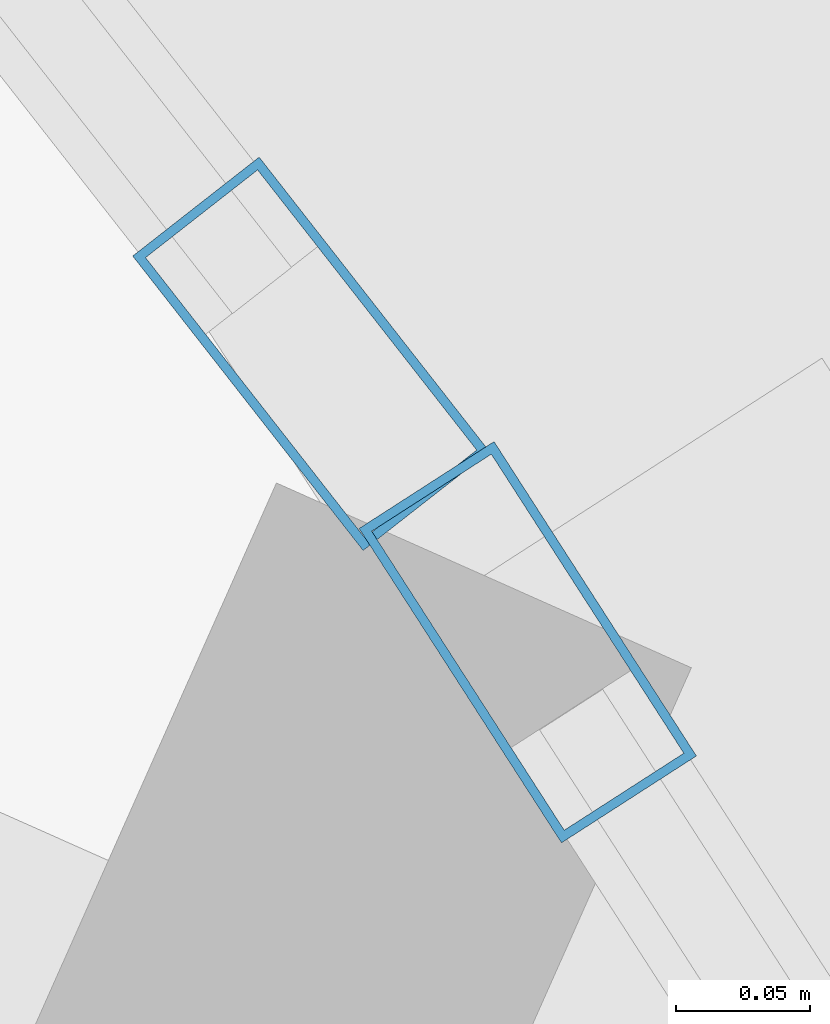
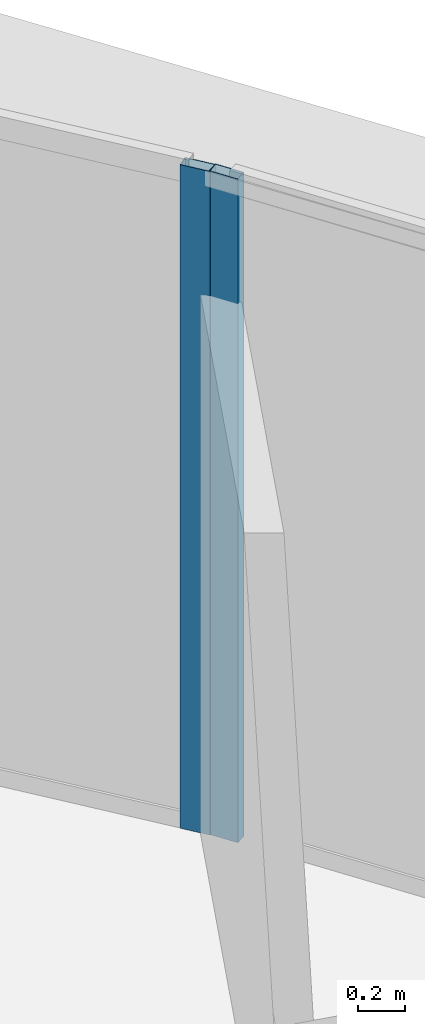
# One storey, part 20 of 34: 2 members, 2 elements without a shape of their own.
"""IFC4 building model written with IfcOpenShell, lengths in metres."""

import ifcopenshell
import ifcopenshell.guid

model = None  # the IFC model being written
_history = None  # IfcOwnerHistory: only IFC2X3 demands one
_inside = {}  # id of a spatial element -> (the spatial element, [elements in it])
_under = {}  # id of a project, library or spatial element -> (it, [spatial elements below it])
_declared = {}  # id of a project -> (the project, [libraries it declares])
_typed = {}  # id of a type object -> (the type object, [elements of that type])
_made_of = {}  # id of a material, layer set ... -> (it, [elements and type objects made of it])


def new_model(schema):
    """Start an empty IFC model of exactly this schema.

    Asked for "IFC4X3", IfcOpenShell would pick the latest addendum, in which some entities
    have other attributes; the version numbers below select the first issue.
    IFC2X3 requires an IfcOwnerHistory on every rooted entity: one is made here for all.
    """
    global model, _history
    if schema == "IFC4X3":
        model = ifcopenshell.file(schema_version=(4, 3, 0, 0))
    else:
        model = ifcopenshell.file(schema=schema)
    _inside.clear()
    _under.clear()
    _declared.clear()
    _typed.clear()
    _made_of.clear()
    _history = None
    if model.schema == "IFC2X3":
        org = make("IfcOrganization", Name="unknown")
        user = make(
            "IfcPersonAndOrganization",
            ThePerson=make("IfcPerson", FamilyName="unknown"),
            TheOrganization=org,
        )
        app = make(
            "IfcApplication",
            ApplicationDeveloper=org,
            Version="unknown",
            ApplicationFullName="unknown",
            ApplicationIdentifier="unknown",
        )
        _history = make(
            "IfcOwnerHistory",
            OwningUser=user,
            OwningApplication=app,
            ChangeAction="ADDED",
            CreationDate=0,
        )
    return model


def make(cls, **values):
    """One entity of the class cls with the attributes given. An attribute that is None is left unset."""
    return model.create_entity(
        cls, **{name: value for name, value in values.items() if value is not None}
    )


def rooted(cls, **values):
    """An entity with a GlobalId (a new one), such as an element, a storey or a relation."""
    return make(cls, GlobalId=ifcopenshell.guid.new(), OwnerHistory=_history, **values)


def si_unit(unit_type, name, prefix=None):
    """IfcSIUnit, for example si_unit("LENGTHUNIT", "METRE", prefix="MILLI")."""
    return make("IfcSIUnit", UnitType=unit_type, Prefix=prefix, Name=name)


def assignment(units):
    """IfcUnitAssignment: the units of a project."""
    return None if units is None else make("IfcUnitAssignment", Units=units)


def point(xyz):
    """IfcCartesianPoint."""
    return None if xyz is None else make("IfcCartesianPoint", Coordinates=xyz)


def direction(xyz):
    """IfcDirection."""
    return None if xyz is None else make("IfcDirection", DirectionRatios=xyz)


def frame(location, z_axis=None, x_axis=None):
    """IfcAxis2Placement3D, a coordinate frame: its origin and axes. An axis left out is left unset."""
    return make(
        "IfcAxis2Placement3D",
        Location=point(location),
        Axis=direction(z_axis),
        RefDirection=direction(x_axis),
    )


def frame_2d(location, x_axis=None):
    """IfcAxis2Placement2D, a coordinate frame in the plane: its origin and x axis."""
    return make(
        "IfcAxis2Placement2D", Location=point(location), RefDirection=direction(x_axis)
    )


def origin():
    """The frame at (0, 0, 0) with its axes left unset."""
    return frame((0.0, 0.0, 0.0))


def origin_2d():
    """The frame at (0, 0) in the plane with its x axis left unset."""
    return frame_2d((0.0, 0.0))


def place(relative_to, where):
    """IfcLocalPlacement: puts the frame where relative to a parent placement (None: the world)."""
    return make(
        "IfcLocalPlacement", PlacementRelTo=relative_to, RelativePlacement=where
    )


def context(
    kind, dimensions, precision=None, world=None, true_north=None, identifier=None
):
    """IfcGeometricRepresentationContext, for example the 3D "Model" context."""
    return make(
        "IfcGeometricRepresentationContext",
        ContextIdentifier=identifier,
        ContextType=kind,
        CoordinateSpaceDimension=dimensions,
        Precision=precision,
        WorldCoordinateSystem=world,
        TrueNorth=true_north,
    )


def subcontext(parent, identifier, kind, view, scale=None):
    """IfcGeometricRepresentationSubContext, for example "Body" below "Model"."""
    return make(
        "IfcGeometricRepresentationSubContext",
        ContextIdentifier=identifier,
        ContextType=kind,
        ParentContext=parent,
        TargetScale=scale,
        TargetView=view,
    )


def project(units=None, contexts=None):
    """IfcProject with its units and contexts."""
    return rooted(
        "IfcProject",
        Name="project",
        RepresentationContexts=contexts,
        UnitsInContext=assignment(units),
    )


def spatial(cls, under=None, at=None, **own):
    """A site, building, storey or space (cls), placed at a placement, below another one or the project."""
    s = rooted(cls, ObjectPlacement=at, **own)
    if under is not None:
        _under.setdefault(under.id(), (under, []))[1].append(s)
    return s


def profile(cls, at=None, kind="AREA", **sizes):
    """A parametric profile (cls). Its sizes go by their IFC names, for example OverallWidth=200.0."""
    return make(cls, ProfileType=kind, Position=at, **sizes)


def hollow_rectangle(**sizes):
    """IfcRectangleHollowProfileDef."""
    return profile("IfcRectangleHollowProfileDef", **sizes)


def extrude(swept, where, along, depth):
    """IfcExtrudedAreaSolid: the profile swept, set in the frame where, extruded along a direction by depth."""
    return make(
        "IfcExtrudedAreaSolid",
        SweptArea=swept,
        Position=where,
        ExtrudedDirection=direction(along),
        Depth=depth,
    )


def shape(context_of_items, identifier, shape_type, items):
    """IfcShapeRepresentation: the items that make up one representation, for example the "Body"."""
    return make(
        "IfcShapeRepresentation",
        ContextOfItems=context_of_items,
        RepresentationIdentifier=identifier,
        RepresentationType=shape_type,
        Items=items,
    )


def source(mapping_origin, context_of_items, identifier, shape_type, items):
    """IfcRepresentationMap: a shape defined once, which mapped items show again and again."""
    return make(
        "IfcRepresentationMap",
        MappingOrigin=mapping_origin,
        MappedRepresentation=shape(context_of_items, identifier, shape_type, items),
    )


def transform(
    local_origin,
    x_axis=None,
    y_axis=None,
    z_axis=None,
    scale=None,
    scale2=None,
    scale3=None,
    uniform=True,
):
    """IfcCartesianTransformationOperator3D, or its non-uniform kind. x_axis, y_axis, z_axis: its Axis1, 2, 3."""
    if uniform:
        return make(
            "IfcCartesianTransformationOperator3D",
            Axis1=direction(x_axis),
            Axis2=direction(y_axis),
            LocalOrigin=point(local_origin),
            Scale=scale,
            Axis3=direction(z_axis),
        )
    return make(
        "IfcCartesianTransformationOperator3DnonUniform",
        Axis1=direction(x_axis),
        Axis2=direction(y_axis),
        LocalOrigin=point(local_origin),
        Scale=scale,
        Axis3=direction(z_axis),
        Scale2=scale2,
        Scale3=scale3,
    )


def mapped(mapping_source, mapping_target):
    """IfcMappedItem: shows the shape of a source again, moved by a transform."""
    return make(
        "IfcMappedItem", MappingSource=mapping_source, MappingTarget=mapping_target
    )


def material(Name=None, Category=None):
    """IfcMaterial."""
    return make("IfcMaterial", Name=Name, Category=Category)


def layer(
    of_material, thickness, ventilated=None, Name=None, Category=None, Priority=None
):
    """IfcMaterialLayer: one layer of a wall or slab, of a material (None: an air gap)."""
    return make(
        "IfcMaterialLayer",
        Material=of_material,
        LayerThickness=thickness,
        IsVentilated=ventilated,
        Name=Name,
        Category=Category,
        Priority=Priority,
    )


def layer_set(layers, Name=None):
    """IfcMaterialLayerSet."""
    return make("IfcMaterialLayerSet", MaterialLayers=layers, LayerSetName=Name)


def material_profile(
    of_material, cross_section, Name=None, Category=None, Priority=None
):
    """IfcMaterialProfile: a cross section and its material."""
    return make(
        "IfcMaterialProfile",
        Name=Name,
        Material=of_material,
        Profile=cross_section,
        Priority=Priority,
        Category=Category,
    )


def profile_set(profiles, Name=None, composite=None):
    """IfcMaterialProfileSet."""
    return make(
        "IfcMaterialProfileSet",
        Name=Name,
        MaterialProfiles=profiles,
        CompositeProfile=composite,
    )


def made_of(thing, what):
    """Note that an element or type object is made of a material, layer set ...; save() writes the relation."""
    if what is not None:
        _made_of.setdefault(what.id(), (what, []))[1].append(thing)
    return thing


def type_object(cls, material=None, **own):
    """A type object (cls), such as IfcWallType, which elements share."""
    return made_of(rooted(cls, **own), material)


def element(
    cls,
    number,
    at=None,
    inside=None,
    cuts=None,
    type_object=None,
    material=None,
    context=None,
    identifier="Body",
    shape_type=None,
    held_by="IfcProductDefinitionShape",
    body=None,
    shapes=None,
    **own,
):
    """One element of the class cls, such as IfcWall. Its Tag is "e" and its number.

    at: its placement. inside: the storey or other place that contains it. cuts: it is an
    opening in that element (IfcRelVoidsElement). A single representation is given by context,
    identifier, shape_type and body (its items); several are given by shapes. held_by: the class
    of the entity that holds the representations. save() writes the other relations.
    """
    e = rooted(cls, Tag="e%d" % number, ObjectPlacement=at, **own)
    if body is not None:
        shapes = [shape(context, identifier, shape_type, body)]
    if shapes is not None:
        e.Representation = make(held_by, Representations=shapes)
    if inside is not None:
        _inside.setdefault(inside.id(), (inside, []))[1].append(e)
    if cuts is not None:
        rooted(
            "IfcRelVoidsElement", RelatingBuildingElement=cuts, RelatedOpeningElement=e
        )
    if type_object is not None:
        _typed.setdefault(type_object.id(), (type_object, []))[1].append(e)
    return made_of(e, material)


def aggregate(whole, parts):
    """IfcRelAggregates: a whole, such as a stair, and the parts it consists of."""
    return rooted("IfcRelAggregates", RelatingObject=whole, RelatedObjects=parts)


def save(model, path):
    """Write the relations noted so far, then the file.

    IfcRelAggregates (storeys below a building ...), IfcRelContainedInSpatialStructure (elements
    in a storey), IfcRelDefinesByType, IfcRelAssociatesMaterial and IfcRelDeclares: one each for
    every whole, place, type object, material and project.
    """
    for whole, parts in _under.values():
        aggregate(whole, parts)
    for where, things in _inside.values():
        rooted(
            "IfcRelContainedInSpatialStructure",
            RelatedElements=things,
            RelatingStructure=where,
        )
    for kind, things in _typed.values():
        rooted("IfcRelDefinesByType", RelatedObjects=things, RelatingType=kind)
    for what, things in _made_of.values():
        rooted("IfcRelAssociatesMaterial", RelatedObjects=things, RelatingMaterial=what)
    for by, libraries in _declared.values():
        rooted("IfcRelDeclares", RelatingContext=by, RelatedDefinitions=libraries)
    model.write(path)


model = new_model("IFC4")

# Units and contexts
model_context = context("Model", 3, precision=1e-05, world=origin(), true_north=direction((0.0, 1.0)))
body_context = subcontext(model_context, "Body", "Model", "MODEL_VIEW")
ifc_project = project(units=[si_unit("LENGTHUNIT", "METRE"), si_unit("AREAUNIT", "SQUARE_METRE"), si_unit("VOLUMEUNIT", "CUBIC_METRE"), si_unit("PLANEANGLEUNIT", "RADIAN"), si_unit("MASSUNIT", "GRAM", prefix="KILO"), si_unit("THERMODYNAMICTEMPERATUREUNIT", "KELVIN"), si_unit("POWERUNIT", "WATT")], contexts=[model_context])

# Site, building, storey
site_placement = place(None, origin())
site = spatial("IfcSite", under=ifc_project, at=site_placement, CompositionType="ELEMENT")
building_placement = place(site_placement, origin())
building = spatial("IfcBuilding", under=site, at=building_placement, Name="Yunzhuo Pagoda Commons", CompositionType="ELEMENT")
storey_placement = place(building_placement, frame((0.0, 0.0, 229.610107421875)))
storey = spatial("IfcBuildingStorey", under=building, at=storey_placement, Name="L57", CompositionType="ELEMENT", Elevation=229.610107421875)

# Curtain wall, member
ifc_material = material(Name="Anodized aluminium 6063-T6", Category="aluminium")
ifc_layer = layer(ifc_material, 0.139892578125)
ifc_layer_set = layer_set([ifc_layer], Name="Anodized aluminium 6063-T6")
curtain_wall_type = type_object("IfcCurtainWallType", Name="CW-HI High-Zone Ribbon Curtain Wall", PredefinedType="NOTDEFINED", material=ifc_layer_set)
curtain_wall_1_placement = place(storey_placement, origin())
curtain_wall_1 = element("IfcCurtainWall", 1, at=curtain_wall_1_placement, inside=storey, type_object=curtain_wall_type, Name="L57 curtain wall CW-L57-F2B4", PredefinedType="NOTDEFINED")
ifc_material_profile = material_profile(ifc_material, hollow_rectangle(XDim=0.06005859375, YDim=0.139892578125, WallThickness=0.00341796875, at=origin_2d()), Name="Anodized aluminium 6063-T6")
ifc_profile_set = profile_set([ifc_material_profile], Name="Anodized aluminium 6063-T6")
member_type = type_object("IfcMemberType", Name="CW-HI-M Mullion RHS 140x60x3.5", PredefinedType="MULLION", material=ifc_profile_set)
shared_shape = source(origin(), body_context, "Body", "SweptSolid", [
    extrude(hollow_rectangle(XDim=0.06005859375, YDim=0.139892578125, WallThickness=0.00341796875, at=origin_2d()), origin(), (0.0, 0.0, 1.0), 3.469970703125),
])
member_1_placement = place(storey_placement, frame((62.8193359375, 66.9228515625, 0.0), z_axis=(0.0, 0.0, 1.0), x_axis=(-0.840807373352, -0.541334426133, 0.0)))
member_1 = element("IfcMember", 2, at=member_1_placement, type_object=member_type, Name="CW mullion 2", PredefinedType="MULLION", context=body_context, shape_type="MappedRepresentation", body=[
    mapped(shared_shape, transform((0.0, 0.0, 0.0), scale=1.0)),
])
aggregate(curtain_wall_1, [member_1])

curtain_wall_2_placement = place(storey_placement, origin())
curtain_wall_2 = element("IfcCurtainWall", 3, at=curtain_wall_2_placement, inside=storey, type_object=curtain_wall_type, Name="L57 curtain wall CW-L57-F2B5", PredefinedType="NOTDEFINED")
member_2_placement = place(storey_placement, frame((62.73828125, 67.03076171875, 0.0), z_axis=(0.0, 0.0, 1.0), x_axis=(-0.787639445288, -0.616136433127, 0.0)))
member_2 = element("IfcMember", 4, at=member_2_placement, type_object=member_type, Name="CW mullion 1", PredefinedType="MULLION", context=body_context, shape_type="MappedRepresentation", body=[
    mapped(shared_shape, transform((0.0, 0.0, 0.0), scale=1.0)),
])
aggregate(curtain_wall_2, [member_2])

save(model, "model.ifc")
